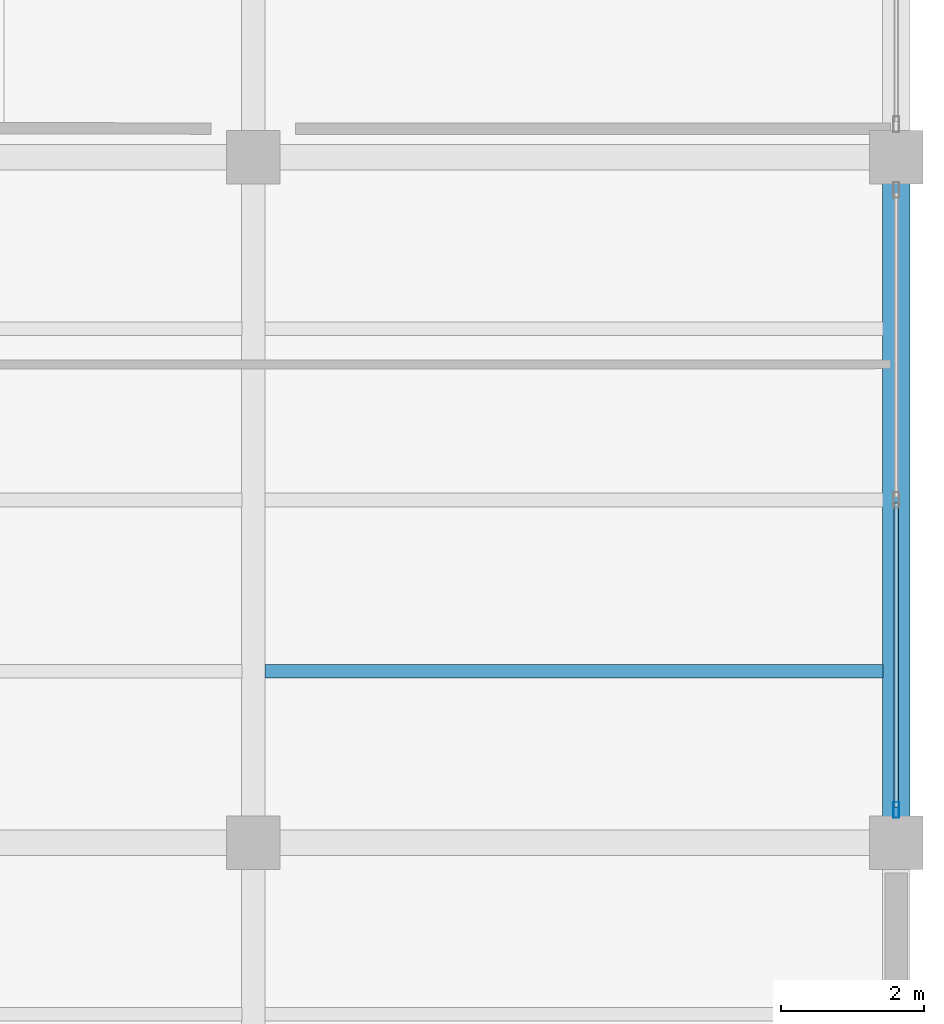
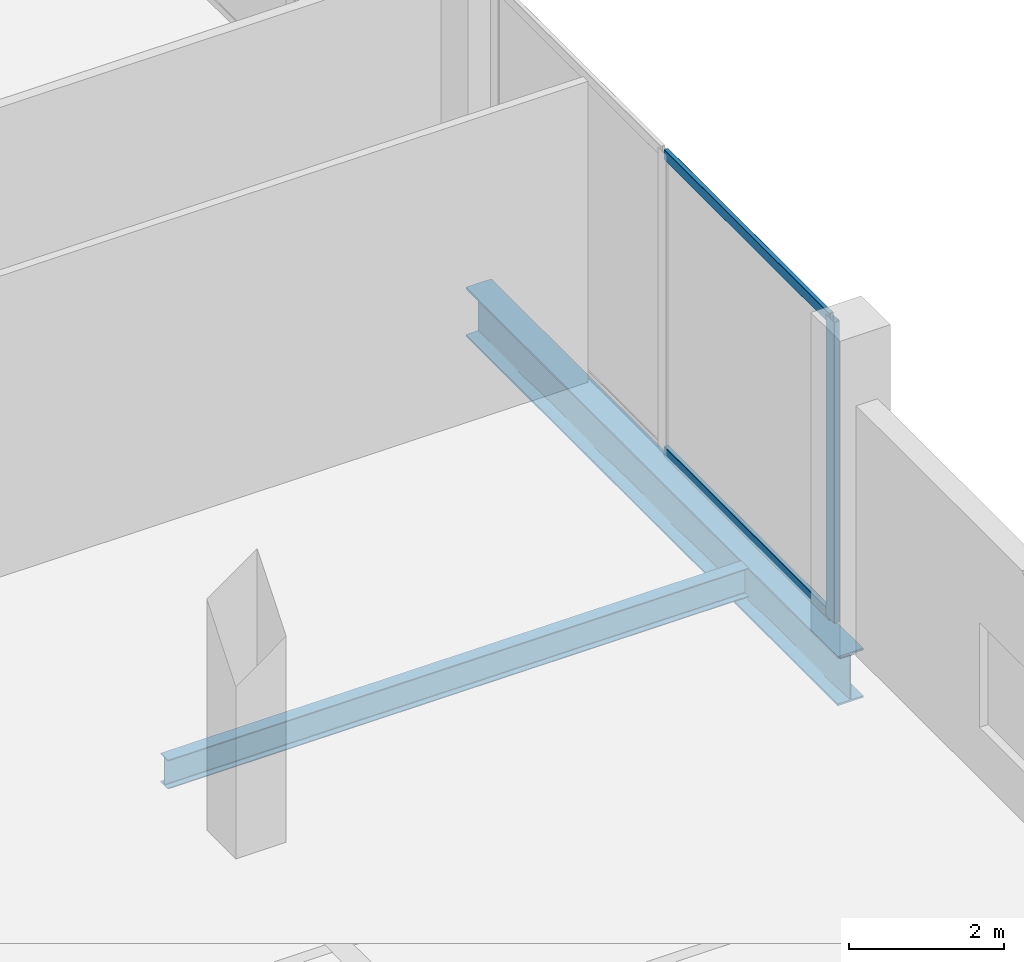
# One storey, part 15 of 47: 3 members, 2 beams, 1 element without a shape of its own.
"""IFC4 building model written with IfcOpenShell, lengths in metres."""

import ifcopenshell
import ifcopenshell.guid

model = None  # the IFC model being written
_history = None  # IfcOwnerHistory: only IFC2X3 demands one
_inside = {}  # id of a spatial element -> (the spatial element, [elements in it])
_under = {}  # id of a project, library or spatial element -> (it, [spatial elements below it])
_declared = {}  # id of a project -> (the project, [libraries it declares])
_typed = {}  # id of a type object -> (the type object, [elements of that type])
_made_of = {}  # id of a material, layer set ... -> (it, [elements and type objects made of it])


def new_model(schema):
    """Start an empty IFC model of exactly this schema.

    Asked for "IFC4X3", IfcOpenShell would pick the latest addendum, in which some entities
    have other attributes; the version numbers below select the first issue.
    IFC2X3 requires an IfcOwnerHistory on every rooted entity: one is made here for all.
    """
    global model, _history
    if schema == "IFC4X3":
        model = ifcopenshell.file(schema_version=(4, 3, 0, 0))
    else:
        model = ifcopenshell.file(schema=schema)
    _inside.clear()
    _under.clear()
    _declared.clear()
    _typed.clear()
    _made_of.clear()
    _history = None
    if model.schema == "IFC2X3":
        org = make("IfcOrganization", Name="unknown")
        user = make(
            "IfcPersonAndOrganization",
            ThePerson=make("IfcPerson", FamilyName="unknown"),
            TheOrganization=org,
        )
        app = make(
            "IfcApplication",
            ApplicationDeveloper=org,
            Version="unknown",
            ApplicationFullName="unknown",
            ApplicationIdentifier="unknown",
        )
        _history = make(
            "IfcOwnerHistory",
            OwningUser=user,
            OwningApplication=app,
            ChangeAction="ADDED",
            CreationDate=0,
        )
    return model


def make(cls, **values):
    """One entity of the class cls with the attributes given. An attribute that is None is left unset."""
    return model.create_entity(
        cls, **{name: value for name, value in values.items() if value is not None}
    )


def rooted(cls, **values):
    """An entity with a GlobalId (a new one), such as an element, a storey or a relation."""
    return make(cls, GlobalId=ifcopenshell.guid.new(), OwnerHistory=_history, **values)


def si_unit(unit_type, name, prefix=None):
    """IfcSIUnit, for example si_unit("LENGTHUNIT", "METRE", prefix="MILLI")."""
    return make("IfcSIUnit", UnitType=unit_type, Prefix=prefix, Name=name)


def assignment(units):
    """IfcUnitAssignment: the units of a project."""
    return None if units is None else make("IfcUnitAssignment", Units=units)


def point(xyz):
    """IfcCartesianPoint."""
    return None if xyz is None else make("IfcCartesianPoint", Coordinates=xyz)


def direction(xyz):
    """IfcDirection."""
    return None if xyz is None else make("IfcDirection", DirectionRatios=xyz)


def frame(location, z_axis=None, x_axis=None):
    """IfcAxis2Placement3D, a coordinate frame: its origin and axes. An axis left out is left unset."""
    return make(
        "IfcAxis2Placement3D",
        Location=point(location),
        Axis=direction(z_axis),
        RefDirection=direction(x_axis),
    )


def frame_2d(location, x_axis=None):
    """IfcAxis2Placement2D, a coordinate frame in the plane: its origin and x axis."""
    return make(
        "IfcAxis2Placement2D", Location=point(location), RefDirection=direction(x_axis)
    )


def origin():
    """The frame at (0, 0, 0) with its axes left unset."""
    return frame((0.0, 0.0, 0.0))


def origin_2d():
    """The frame at (0, 0) in the plane with its x axis left unset."""
    return frame_2d((0.0, 0.0))


def place(relative_to, where):
    """IfcLocalPlacement: puts the frame where relative to a parent placement (None: the world)."""
    return make(
        "IfcLocalPlacement", PlacementRelTo=relative_to, RelativePlacement=where
    )


def context(
    kind, dimensions, precision=None, world=None, true_north=None, identifier=None
):
    """IfcGeometricRepresentationContext, for example the 3D "Model" context."""
    return make(
        "IfcGeometricRepresentationContext",
        ContextIdentifier=identifier,
        ContextType=kind,
        CoordinateSpaceDimension=dimensions,
        Precision=precision,
        WorldCoordinateSystem=world,
        TrueNorth=true_north,
    )


def subcontext(parent, identifier, kind, view, scale=None):
    """IfcGeometricRepresentationSubContext, for example "Body" below "Model"."""
    return make(
        "IfcGeometricRepresentationSubContext",
        ContextIdentifier=identifier,
        ContextType=kind,
        ParentContext=parent,
        TargetScale=scale,
        TargetView=view,
    )


def project(units=None, contexts=None):
    """IfcProject with its units and contexts."""
    return rooted(
        "IfcProject",
        Name="project",
        RepresentationContexts=contexts,
        UnitsInContext=assignment(units),
    )


def spatial(cls, under=None, at=None, **own):
    """A site, building, storey or space (cls), placed at a placement, below another one or the project."""
    s = rooted(cls, ObjectPlacement=at, **own)
    if under is not None:
        _under.setdefault(under.id(), (under, []))[1].append(s)
    return s


def profile(cls, at=None, kind="AREA", **sizes):
    """A parametric profile (cls). Its sizes go by their IFC names, for example OverallWidth=200.0."""
    return make(cls, ProfileType=kind, Position=at, **sizes)


def hollow_rectangle(**sizes):
    """IfcRectangleHollowProfileDef."""
    return profile("IfcRectangleHollowProfileDef", **sizes)


def i_section(**sizes):
    """IfcIShapeProfileDef."""
    return profile("IfcIShapeProfileDef", **sizes)


def extrude(swept, where, along, depth):
    """IfcExtrudedAreaSolid: the profile swept, set in the frame where, extruded along a direction by depth."""
    return make(
        "IfcExtrudedAreaSolid",
        SweptArea=swept,
        Position=where,
        ExtrudedDirection=direction(along),
        Depth=depth,
    )


def shape(context_of_items, identifier, shape_type, items):
    """IfcShapeRepresentation: the items that make up one representation, for example the "Body"."""
    return make(
        "IfcShapeRepresentation",
        ContextOfItems=context_of_items,
        RepresentationIdentifier=identifier,
        RepresentationType=shape_type,
        Items=items,
    )


def material(Name=None, Category=None):
    """IfcMaterial."""
    return make("IfcMaterial", Name=Name, Category=Category)


def layer(
    of_material, thickness, ventilated=None, Name=None, Category=None, Priority=None
):
    """IfcMaterialLayer: one layer of a wall or slab, of a material (None: an air gap)."""
    return make(
        "IfcMaterialLayer",
        Material=of_material,
        LayerThickness=thickness,
        IsVentilated=ventilated,
        Name=Name,
        Category=Category,
        Priority=Priority,
    )


def layer_set(layers, Name=None):
    """IfcMaterialLayerSet."""
    return make("IfcMaterialLayerSet", MaterialLayers=layers, LayerSetName=Name)


def material_profile(
    of_material, cross_section, Name=None, Category=None, Priority=None
):
    """IfcMaterialProfile: a cross section and its material."""
    return make(
        "IfcMaterialProfile",
        Name=Name,
        Material=of_material,
        Profile=cross_section,
        Priority=Priority,
        Category=Category,
    )


def profile_set(profiles, Name=None, composite=None):
    """IfcMaterialProfileSet."""
    return make(
        "IfcMaterialProfileSet",
        Name=Name,
        MaterialProfiles=profiles,
        CompositeProfile=composite,
    )


def made_of(thing, what):
    """Note that an element or type object is made of a material, layer set ...; save() writes the relation."""
    if what is not None:
        _made_of.setdefault(what.id(), (what, []))[1].append(thing)
    return thing


def type_object(cls, material=None, **own):
    """A type object (cls), such as IfcWallType, which elements share."""
    return made_of(rooted(cls, **own), material)


def element(
    cls,
    number,
    at=None,
    inside=None,
    cuts=None,
    type_object=None,
    material=None,
    context=None,
    identifier="Body",
    shape_type=None,
    held_by="IfcProductDefinitionShape",
    body=None,
    shapes=None,
    **own,
):
    """One element of the class cls, such as IfcWall. Its Tag is "e" and its number.

    at: its placement. inside: the storey or other place that contains it. cuts: it is an
    opening in that element (IfcRelVoidsElement). A single representation is given by context,
    identifier, shape_type and body (its items); several are given by shapes. held_by: the class
    of the entity that holds the representations. save() writes the other relations.
    """
    e = rooted(cls, Tag="e%d" % number, ObjectPlacement=at, **own)
    if body is not None:
        shapes = [shape(context, identifier, shape_type, body)]
    if shapes is not None:
        e.Representation = make(held_by, Representations=shapes)
    if inside is not None:
        _inside.setdefault(inside.id(), (inside, []))[1].append(e)
    if cuts is not None:
        rooted(
            "IfcRelVoidsElement", RelatingBuildingElement=cuts, RelatedOpeningElement=e
        )
    if type_object is not None:
        _typed.setdefault(type_object.id(), (type_object, []))[1].append(e)
    return made_of(e, material)


def aggregate(whole, parts):
    """IfcRelAggregates: a whole, such as a stair, and the parts it consists of."""
    return rooted("IfcRelAggregates", RelatingObject=whole, RelatedObjects=parts)


def save(model, path):
    """Write the relations noted so far, then the file.

    IfcRelAggregates (storeys below a building ...), IfcRelContainedInSpatialStructure (elements
    in a storey), IfcRelDefinesByType, IfcRelAssociatesMaterial and IfcRelDeclares: one each for
    every whole, place, type object, material and project.
    """
    for whole, parts in _under.values():
        aggregate(whole, parts)
    for where, things in _inside.values():
        rooted(
            "IfcRelContainedInSpatialStructure",
            RelatedElements=things,
            RelatingStructure=where,
        )
    for kind, things in _typed.values():
        rooted("IfcRelDefinesByType", RelatedObjects=things, RelatingType=kind)
    for what, things in _made_of.values():
        rooted("IfcRelAssociatesMaterial", RelatedObjects=things, RelatingMaterial=what)
    for by, libraries in _declared.values():
        rooted("IfcRelDeclares", RelatingContext=by, RelatedDefinitions=libraries)
    model.write(path)


model = new_model("IFC4")

# Units and contexts
model_context = context("Model", 3, precision=1e-05, world=origin(), true_north=direction((0.0, 1.0)))
body_context = subcontext(model_context, "Body", "Model", "MODEL_VIEW")
ifc_project = project(units=[si_unit("LENGTHUNIT", "METRE"), si_unit("AREAUNIT", "SQUARE_METRE"), si_unit("VOLUMEUNIT", "CUBIC_METRE"), si_unit("PLANEANGLEUNIT", "RADIAN"), si_unit("MASSUNIT", "GRAM", prefix="KILO")], contexts=[model_context])

# Site, building, storey
site_placement = place(None, origin())
site = spatial("IfcSite", under=ifc_project, at=site_placement, CompositionType="ELEMENT")
building_placement = place(site_placement, origin())
building = spatial("IfcBuilding", under=site, at=building_placement, Name="Qorvath Tower", CompositionType="ELEMENT")
storey_placement = place(building_placement, frame((0.0, 0.0, 12.0)))
storey = spatial("IfcBuildingStorey", under=building, at=storey_placement, Name="L02", CompositionType="ELEMENT", Elevation=12.0)

# Beams
ifc_material_1 = material(Name="Steel ASTM A992 Grade 50", Category="steel")
ifc_material_profile_1 = material_profile(ifc_material_1, i_section(OverallWidth=0.381103515625, OverallDepth=0.77294921875, WebThickness=0.0166015625, FlangeThickness=0.027099609375, FilletRadius=0.01904296875, at=origin_2d()), Name="W30x173")
ifc_profile_set_1 = profile_set([ifc_material_profile_1], Name="Steel ASTM A992 Grade 50")
beam_type_1 = type_object("IfcBeamType", Name="BM-FG3", PredefinedType="BEAM", material=ifc_profile_set_1)
beam_1_placement = place(storey_placement, frame((77.39990234375, -19.199951171875, -0.646484375), z_axis=(0.0, 1.0, 0.0), x_axis=(-1.0, 0.0, 0.0)))
element("IfcBeam", 1, at=beam_1_placement, inside=storey, type_object=beam_type_1, Name="Library N-S Girder L02-6-3", PredefinedType="BEAM", context=body_context, shape_type="SweptSolid", body=[
    extrude(i_section(OverallWidth=0.381103515625, OverallDepth=0.77294921875, WebThickness=0.0166015625, FlangeThickness=0.027099609375, FilletRadius=0.01904296875, at=origin_2d()), origin(), (0.0, 0.0, 1.0), 9.599853515625),
])
ifc_material_2 = material(Name="Steel ASTM A992 Grade 50", Category="steel")
ifc_material_profile_2 = material_profile(ifc_material_2, i_section(OverallWidth=0.18994140625, OverallDepth=0.45703125, WebThickness=0.009033203125, FlangeThickness=0.014404296875, FilletRadius=0.011962890625, at=origin_2d()), Name="W18x50")
ifc_profile_set_2 = profile_set([ifc_material_profile_2], Name="Steel ASTM A992 Grade 50")
beam_type_2 = type_object("IfcBeamType", Name="BM-FJ2", PredefinedType="JOIST", material=ifc_profile_set_2)
beam_2_placement = place(storey_placement, frame((68.560546875, -16.800048828125, -0.488525390625), z_axis=(1.0, 0.0, 0.0), x_axis=(0.0, 1.0, 0.0)))
element("IfcBeam", 2, at=beam_2_placement, inside=storey, type_object=beam_type_2, Name="Library Stack Joist L02-3.1-5", PredefinedType="JOIST", context=body_context, shape_type="SweptSolid", body=[
    extrude(i_section(OverallWidth=0.18994140625, OverallDepth=0.45703125, WebThickness=0.009033203125, FlangeThickness=0.014404296875, FilletRadius=0.011962890625, at=origin_2d()), origin(), (0.0, 0.0, 1.0), 8.65087890625),
])

# Curtain wall, members
ifc_material_3 = material(Name="Anodised aluminium and triple low-E glass", Category="aluminium")
ifc_layer = layer(ifc_material_3, 0.179931640625)
ifc_layer_set = layer_set([ifc_layer], Name="CW-SYS-6")
curtain_wall_type = type_object("IfcCurtainWallType", Name="CW-SYS-6", PredefinedType="NOTDEFINED", material=ifc_layer_set)
curtain_wall_placement = place(storey_placement, origin())
curtain_wall = element("IfcCurtainWall", 3, at=curtain_wall_placement, inside=storey, type_object=curtain_wall_type, Name="Curtain Wall CW-6 CW-LIB-E-L02-3", PredefinedType="NOTDEFINED")
ifc_material_4 = material(Name="Anodised aluminium 6063-T6", Category="aluminium")
ifc_material_profile_3 = material_profile(ifc_material_4, hollow_rectangle(XDim=0.080078125, YDim=0.219970703125, WallThickness=0.00439453125, InnerFilletRadius=0.00439453125, OuterFilletRadius=0.009033203125, at=origin_2d()), Name="CWM LIB 220x80")
ifc_profile_set_3 = profile_set([ifc_material_profile_3], Name="Anodised aluminium 6063-T6")
member_type_1 = type_object("IfcMemberType", Name="CWM-LIB", PredefinedType="MULLION", material=ifc_profile_set_3)
member_1_placement = place(storey_placement, frame((77.39990234375, -18.739990234375, 0.0), z_axis=(0.0, 0.0, 1.0), x_axis=(-1.0, 0.0, 0.0)))
member_1 = element("IfcMember", 4, at=member_1_placement, type_object=member_type_1, Name="CW-6 mullion 1", PredefinedType="MULLION", context=body_context, shape_type="SweptSolid", body=[
    extrude(hollow_rectangle(XDim=0.080078125, YDim=0.219970703125, WallThickness=0.00439453125, InnerFilletRadius=0.00439453125, OuterFilletRadius=0.009033203125, at=origin_2d()), origin(), (0.0, 0.0, 1.0), 4.739990234375),
])
ifc_material_5 = material(Name="Anodised aluminium 6063-T6", Category="aluminium")
ifc_material_profile_4 = material_profile(ifc_material_5, hollow_rectangle(XDim=0.06494140625, YDim=0.159912109375, WallThickness=0.00341796875, InnerFilletRadius=0.00341796875, OuterFilletRadius=0.007080078125, at=origin_2d()), Name="CWT 160x65")
ifc_profile_set_4 = profile_set([ifc_material_profile_4], Name="Anodised aluminium 6063-T6")
member_type_2 = type_object("IfcMemberType", Name="CWT-160", PredefinedType="USERDEFINED", material=ifc_profile_set_4)
member_2_placement = place(storey_placement, frame((77.39990234375, -18.699951171875, 0.032470703125), z_axis=(0.0, 1.0, 0.0), x_axis=(-1.0, 0.0, 0.0)))
member_2 = element("IfcMember", 5, at=member_2_placement, type_object=member_type_2, Name="CW-6 transom 1.1", ObjectType="TRANSOM", PredefinedType="USERDEFINED", context=body_context, shape_type="SweptSolid", body=[
    extrude(hollow_rectangle(XDim=0.06494140625, YDim=0.159912109375, WallThickness=0.00341796875, InnerFilletRadius=0.00341796875, OuterFilletRadius=0.007080078125, at=origin_2d()), origin(), (0.0, 0.0, 1.0), 4.260009765625),
])
member_3_placement = place(storey_placement, frame((77.39990234375, -18.699951171875, 4.70751953125), z_axis=(0.0, 1.0, 0.0), x_axis=(-1.0, 0.0, 0.0)))
member_3 = element("IfcMember", 6, at=member_3_placement, type_object=member_type_2, Name="CW-6 transom 1.2", ObjectType="TRANSOM", PredefinedType="USERDEFINED", context=body_context, shape_type="SweptSolid", body=[
    extrude(hollow_rectangle(XDim=0.06494140625, YDim=0.159912109375, WallThickness=0.00341796875, InnerFilletRadius=0.00341796875, OuterFilletRadius=0.007080078125, at=origin_2d()), origin(), (0.0, 0.0, 1.0), 4.260009765625),
])
aggregate(curtain_wall, [member_1, member_2, member_3])

save(model, "model.ifc")
